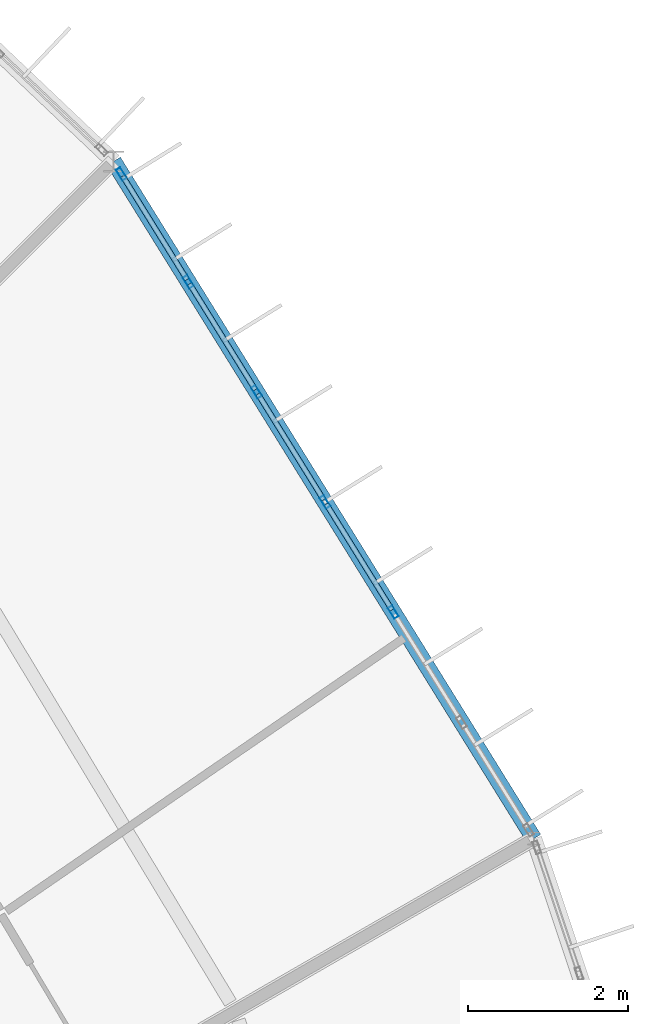
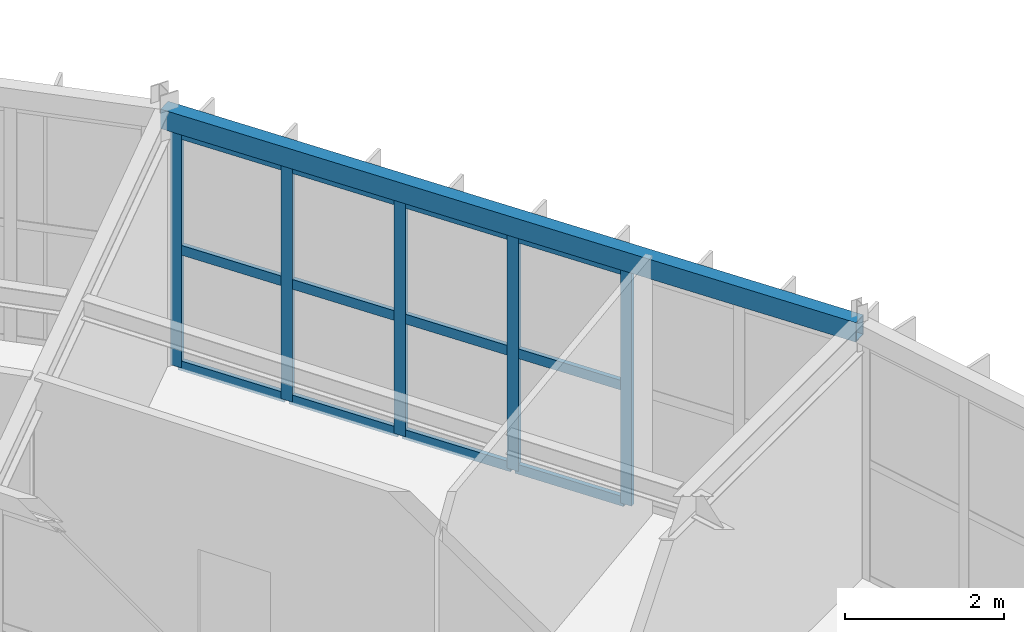
# One storey, part 79 of 134: 17 members, 1 beam, 1 element without a shape of its own.
"""IFC4 building model written with IfcOpenShell, lengths in metres."""

from ifc_helpers import new_model, si_unit, direction, frame, origin, origin_2d, place, context, subcontext, project, spatial, hollow_rectangle, extrude, material, material_profile, profile_set, type_object, element, aggregate, save


model = new_model("IFC4")

# Units and contexts
model_context = context("Model", 3, precision=1e-05, world=origin(), true_north=direction((0.0, 1.0)))
body_context = subcontext(model_context, "Body", "Model", "MODEL_VIEW")
ifc_project = project(units=[si_unit("LENGTHUNIT", "METRE"), si_unit("AREAUNIT", "SQUARE_METRE"), si_unit("VOLUMEUNIT", "CUBIC_METRE"), si_unit("PLANEANGLEUNIT", "RADIAN"), si_unit("MASSUNIT", "GRAM", prefix="KILO")], contexts=[model_context])

# Site, building, storey
site_placement = place(None, origin())
site = spatial("IfcSite", under=ifc_project, at=site_placement, CompositionType="ELEMENT")
building_placement = place(site_placement, origin())
building = spatial("IfcBuilding", under=site, at=building_placement, Name="Karori Crest Natural Sciences Institute", CompositionType="ELEMENT")
storey_placement = place(building_placement, frame((0.0, 0.0, 21.699951171875)))
storey = spatial("IfcBuildingStorey", under=building, at=storey_placement, Name="L05", CompositionType="ELEMENT", Elevation=21.699951171875)

# Beam
ifc_material_1 = material(Name="Hollow structural steel AS/NZS 1163 Grade C350", Category="steel")
ifc_material_profile_1 = material_profile(ifc_material_1, hollow_rectangle(XDim=0.199951171875, YDim=0.300048828125, WallThickness=0.010009765625, at=origin_2d()), Name="RHS300x200x10")
ifc_profile_set_1 = profile_set([ifc_material_profile_1], Name="Hollow structural steel AS/NZS 1163 Grade C350")
beam_type = type_object("IfcBeamType", Name="BT-15", PredefinedType="SPANDREL", material=ifc_profile_set_1)
beam_placement = place(storey_placement, frame((94.978759765625, 70.300048828125, 3.7900390625), z_axis=(-0.527315195609, 0.849669750244, 0.0), x_axis=(-0.849669750244, -0.527315195609, 0.0)))
element("IfcBeam", 1, at=beam_placement, inside=storey, type_object=beam_type, Name="Beam B-0547", PredefinedType="SPANDREL", context=body_context, shape_type="SweptSolid", body=[
    extrude(hollow_rectangle(XDim=0.199951171875, YDim=0.300048828125, WallThickness=0.010009765625, at=origin_2d()), origin(), (0.0, 0.0, 1.0), 9.945068359375),
])

# Curtain wall, members
ifc_material_2 = material(Name="Anodised architectural aluminium 6063-T6", Category="aluminium")
curtain_wall_type = type_object("IfcCurtainWallType", Name="CWT-03", PredefinedType="NOTDEFINED", material=ifc_material_2)
curtain_wall_placement = place(storey_placement, origin())
curtain_wall = element("IfcCurtainWall", 2, at=curtain_wall_placement, inside=storey, type_object=curtain_wall_type, Name="Curtain wall CW-0175", PredefinedType="NOTDEFINED")
ifc_material_profile_2 = material_profile(ifc_material_2, hollow_rectangle(XDim=0.06494140625, YDim=0.159912109375, WallThickness=0.00390625, at=origin_2d()), Name="CWM160x65x4")
ifc_profile_set_2 = profile_set([ifc_material_profile_2], Name="Anodised architectural aluminium 6063-T6")
member_type_1 = type_object("IfcMemberType", Name="CWM-01", PredefinedType="MULLION", material=ifc_profile_set_2)
member_1_placement = place(storey_placement, frame((89.831298828125, 78.593994140625, 0.0), z_axis=(0.0, 0.0, 1.0), x_axis=(0.849661985715, 0.527327706489, 0.0)))
member_1 = element("IfcMember", 3, at=member_1_placement, type_object=member_type_1, Name="CW-0175 mullion 1", PredefinedType="MULLION", context=body_context, shape_type="SweptSolid", body=[
    extrude(hollow_rectangle(XDim=0.06494140625, YDim=0.159912109375, WallThickness=0.00390625, at=origin_2d()), origin(), (0.0, 0.0, 1.0), 3.625),
])
member_2_placement = place(storey_placement, frame((90.666748046875, 77.248046875, 0.0), z_axis=(0.0, 0.0, 1.0), x_axis=(0.849661985715, 0.527327706489, 0.0)))
member_2 = element("IfcMember", 4, at=member_2_placement, type_object=member_type_1, Name="CW-0175 mullion 2", PredefinedType="MULLION", context=body_context, shape_type="SweptSolid", body=[
    extrude(hollow_rectangle(XDim=0.06494140625, YDim=0.159912109375, WallThickness=0.00390625, at=origin_2d()), origin(), (0.0, 0.0, 1.0), 3.625),
])
member_3_placement = place(storey_placement, frame((91.519287109375, 75.874267578125, 0.0), z_axis=(0.0, 0.0, 1.0), x_axis=(0.849661985715, 0.527327706489, 0.0)))
member_3 = element("IfcMember", 5, at=member_3_placement, type_object=member_type_1, Name="CW-0175 mullion 3", PredefinedType="MULLION", context=body_context, shape_type="SweptSolid", body=[
    extrude(hollow_rectangle(XDim=0.06494140625, YDim=0.159912109375, WallThickness=0.00390625, at=origin_2d()), origin(), (0.0, 0.0, 1.0), 3.625),
])
member_4_placement = place(storey_placement, frame((92.371826171875, 74.50048828125, 0.0), z_axis=(0.0, 0.0, 1.0), x_axis=(0.849661985715, 0.527327706489, 0.0)))
member_4 = element("IfcMember", 6, at=member_4_placement, type_object=member_type_1, Name="CW-0175 mullion 4", PredefinedType="MULLION", context=body_context, shape_type="SweptSolid", body=[
    extrude(hollow_rectangle(XDim=0.06494140625, YDim=0.159912109375, WallThickness=0.00390625, at=origin_2d()), origin(), (0.0, 0.0, 1.0), 3.625),
])
member_5_placement = place(storey_placement, frame((93.224365234375, 73.126708984375, 0.0), z_axis=(0.0, 0.0, 1.0), x_axis=(0.849661985715, 0.527327706489, 0.0)))
member_5 = element("IfcMember", 7, at=member_5_placement, type_object=member_type_1, Name="CW-0175 mullion 5", PredefinedType="MULLION", context=body_context, shape_type="SweptSolid", body=[
    extrude(hollow_rectangle(XDim=0.06494140625, YDim=0.159912109375, WallThickness=0.00390625, at=origin_2d()), origin(), (0.0, 0.0, 1.0), 3.625),
])
ifc_material_profile_3 = material_profile(ifc_material_2, hollow_rectangle(XDim=0.06494140625, YDim=0.14990234375, WallThickness=0.00390625, at=origin_2d()), Name="CWT150x65x4")
ifc_profile_set_3 = profile_set([ifc_material_profile_3], Name="Anodised architectural aluminium 6063-T6")
member_type_2 = type_object("IfcMemberType", Name="CWT-TR2", PredefinedType="USERDEFINED", material=ifc_profile_set_3)
member_6_placement = place(storey_placement, frame((89.848388671875, 78.56640625, 0.032470703125), z_axis=(0.527410863432, -0.84961037019, 0.0), x_axis=(0.84961037019, 0.527410863432, 0.0)))
member_6 = element("IfcMember", 8, at=member_6_placement, type_object=member_type_2, Name="CW-0175 transom 1.1", ObjectType="TRANSOM", PredefinedType="USERDEFINED", context=body_context, shape_type="SweptSolid", body=[
    extrude(hollow_rectangle(XDim=0.06494140625, YDim=0.14990234375, WallThickness=0.00390625, at=origin_2d()), origin(), (0.0, 0.0, 1.0), 1.519287109375),
])
member_7_placement = place(storey_placement, frame((89.848388671875, 78.56640625, 1.8125), z_axis=(0.527410863432, -0.84961037019, 0.0), x_axis=(0.84961037019, 0.527410863432, 0.0)))
member_7 = element("IfcMember", 9, at=member_7_placement, type_object=member_type_2, Name="CW-0175 transom 1.2", ObjectType="TRANSOM", PredefinedType="USERDEFINED", context=body_context, shape_type="SweptSolid", body=[
    extrude(hollow_rectangle(XDim=0.06494140625, YDim=0.14990234375, WallThickness=0.00390625, at=origin_2d()), origin(), (0.0, 0.0, 1.0), 1.519287109375),
])
member_8_placement = place(storey_placement, frame((89.848388671875, 78.56640625, 3.592529296875), z_axis=(0.527410863432, -0.84961037019, 0.0), x_axis=(0.84961037019, 0.527410863432, 0.0)))
member_8 = element("IfcMember", 10, at=member_8_placement, type_object=member_type_2, Name="CW-0175 transom 1.3", ObjectType="TRANSOM", PredefinedType="USERDEFINED", context=body_context, shape_type="SweptSolid", body=[
    extrude(hollow_rectangle(XDim=0.06494140625, YDim=0.14990234375, WallThickness=0.00390625, at=origin_2d()), origin(), (0.0, 0.0, 1.0), 1.519287109375),
])
member_9_placement = place(storey_placement, frame((90.683837890625, 77.220458984375, 0.032470703125), z_axis=(0.527323700977, -0.849664471652, 0.0), x_axis=(0.849664471652, 0.527323700977, 0.0)))
member_9 = element("IfcMember", 11, at=member_9_placement, type_object=member_type_2, Name="CW-0175 transom 2.1", ObjectType="TRANSOM", PredefinedType="USERDEFINED", context=body_context, shape_type="SweptSolid", body=[
    extrude(hollow_rectangle(XDim=0.06494140625, YDim=0.14990234375, WallThickness=0.00390625, at=origin_2d()), origin(), (0.0, 0.0, 1.0), 1.552001953125),
])
member_10_placement = place(storey_placement, frame((90.683837890625, 77.220458984375, 1.8125), z_axis=(0.527323700977, -0.849664471652, 0.0), x_axis=(0.849664471652, 0.527323700977, 0.0)))
member_10 = element("IfcMember", 12, at=member_10_placement, type_object=member_type_2, Name="CW-0175 transom 2.2", ObjectType="TRANSOM", PredefinedType="USERDEFINED", context=body_context, shape_type="SweptSolid", body=[
    extrude(hollow_rectangle(XDim=0.06494140625, YDim=0.14990234375, WallThickness=0.00390625, at=origin_2d()), origin(), (0.0, 0.0, 1.0), 1.552001953125),
])
member_11_placement = place(storey_placement, frame((90.683837890625, 77.220458984375, 3.592529296875), z_axis=(0.527323700977, -0.849664471652, 0.0), x_axis=(0.849664471652, 0.527323700977, 0.0)))
member_11 = element("IfcMember", 13, at=member_11_placement, type_object=member_type_2, Name="CW-0175 transom 2.3", ObjectType="TRANSOM", PredefinedType="USERDEFINED", context=body_context, shape_type="SweptSolid", body=[
    extrude(hollow_rectangle(XDim=0.06494140625, YDim=0.14990234375, WallThickness=0.00390625, at=origin_2d()), origin(), (0.0, 0.0, 1.0), 1.552001953125),
])
member_12_placement = place(storey_placement, frame((91.536376953125, 75.8466796875, 0.032470703125), z_axis=(0.527323700977, -0.849664471652, 0.0), x_axis=(0.849664471652, 0.527323700977, 0.0)))
member_12 = element("IfcMember", 14, at=member_12_placement, type_object=member_type_2, Name="CW-0175 transom 3.1", ObjectType="TRANSOM", PredefinedType="USERDEFINED", context=body_context, shape_type="SweptSolid", body=[
    extrude(hollow_rectangle(XDim=0.06494140625, YDim=0.14990234375, WallThickness=0.00390625, at=origin_2d()), origin(), (0.0, 0.0, 1.0), 1.552001953125),
])
member_13_placement = place(storey_placement, frame((91.536376953125, 75.8466796875, 1.8125), z_axis=(0.527323700977, -0.849664471652, 0.0), x_axis=(0.849664471652, 0.527323700977, 0.0)))
member_13 = element("IfcMember", 15, at=member_13_placement, type_object=member_type_2, Name="CW-0175 transom 3.2", ObjectType="TRANSOM", PredefinedType="USERDEFINED", context=body_context, shape_type="SweptSolid", body=[
    extrude(hollow_rectangle(XDim=0.06494140625, YDim=0.14990234375, WallThickness=0.00390625, at=origin_2d()), origin(), (0.0, 0.0, 1.0), 1.552001953125),
])
member_14_placement = place(storey_placement, frame((91.536376953125, 75.8466796875, 3.592529296875), z_axis=(0.527323700977, -0.849664471652, 0.0), x_axis=(0.849664471652, 0.527323700977, 0.0)))
member_14 = element("IfcMember", 16, at=member_14_placement, type_object=member_type_2, Name="CW-0175 transom 3.3", ObjectType="TRANSOM", PredefinedType="USERDEFINED", context=body_context, shape_type="SweptSolid", body=[
    extrude(hollow_rectangle(XDim=0.06494140625, YDim=0.14990234375, WallThickness=0.00390625, at=origin_2d()), origin(), (0.0, 0.0, 1.0), 1.552001953125),
])
member_15_placement = place(storey_placement, frame((92.388916015625, 74.472900390625, 0.032470703125), z_axis=(0.527323700977, -0.849664471652, 0.0), x_axis=(0.849664471652, 0.527323700977, 0.0)))
member_15 = element("IfcMember", 17, at=member_15_placement, type_object=member_type_2, Name="CW-0175 transom 4.1", ObjectType="TRANSOM", PredefinedType="USERDEFINED", context=body_context, shape_type="SweptSolid", body=[
    extrude(hollow_rectangle(XDim=0.06494140625, YDim=0.14990234375, WallThickness=0.00390625, at=origin_2d()), origin(), (0.0, 0.0, 1.0), 1.552001953125),
])
member_16_placement = place(storey_placement, frame((92.388916015625, 74.472900390625, 1.8125), z_axis=(0.527323700977, -0.849664471652, 0.0), x_axis=(0.849664471652, 0.527323700977, 0.0)))
member_16 = element("IfcMember", 18, at=member_16_placement, type_object=member_type_2, Name="CW-0175 transom 4.2", ObjectType="TRANSOM", PredefinedType="USERDEFINED", context=body_context, shape_type="SweptSolid", body=[
    extrude(hollow_rectangle(XDim=0.06494140625, YDim=0.14990234375, WallThickness=0.00390625, at=origin_2d()), origin(), (0.0, 0.0, 1.0), 1.552001953125),
])
member_17_placement = place(storey_placement, frame((92.388916015625, 74.472900390625, 3.592529296875), z_axis=(0.527323700977, -0.849664471652, 0.0), x_axis=(0.849664471652, 0.527323700977, 0.0)))
member_17 = element("IfcMember", 19, at=member_17_placement, type_object=member_type_2, Name="CW-0175 transom 4.3", ObjectType="TRANSOM", PredefinedType="USERDEFINED", context=body_context, shape_type="SweptSolid", body=[
    extrude(hollow_rectangle(XDim=0.06494140625, YDim=0.14990234375, WallThickness=0.00390625, at=origin_2d()), origin(), (0.0, 0.0, 1.0), 1.552001953125),
])
aggregate(curtain_wall, [member_1, member_2, member_3, member_4, member_5, member_6, member_7, member_8, member_9, member_10, member_11, member_12, member_13, member_14, member_15, member_16, member_17])

save(model, "model.ifc")
